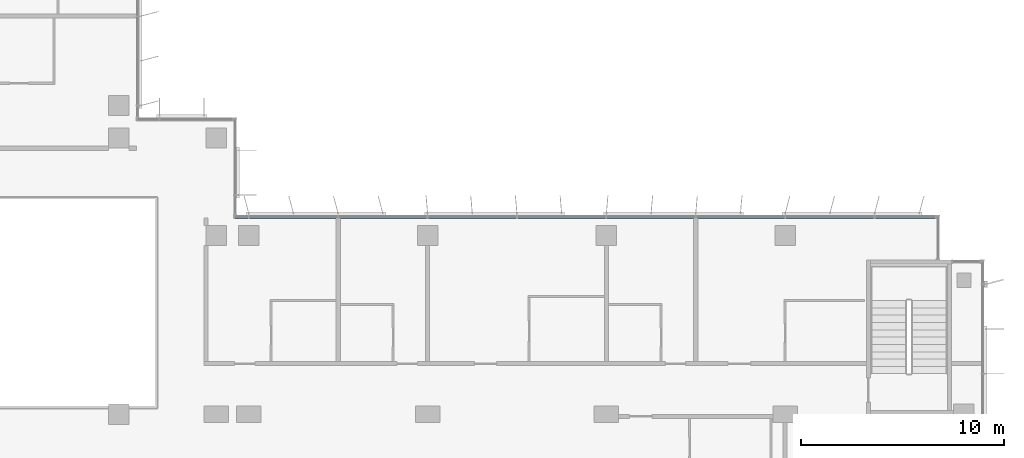
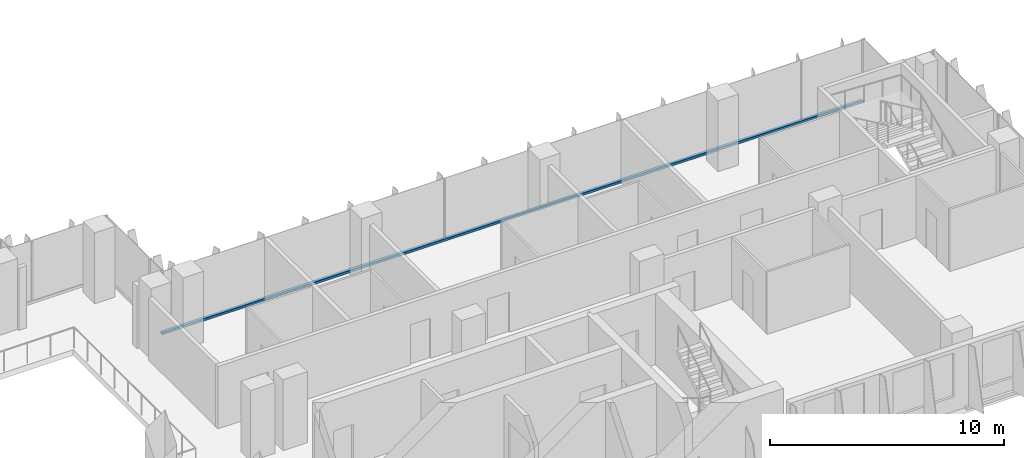
# One storey, part 3 of 20: 1 member, 1 element without a shape of its own.
"""IFC4 building model written with IfcOpenShell, lengths in metres."""

from ifc_helpers import new_model, si_unit, direction, frame, origin, origin_2d, place, context, subcontext, project, spatial, rectangle, extrude, material, material_profile, profile_set, type_object, element, aggregate, save


model = new_model("IFC4")

# Units and contexts
model_context = context("Model", 3, precision=1e-05, world=origin(), true_north=direction((0.0, 1.0)))
body_context = subcontext(model_context, "Body", "Model", "MODEL_VIEW")
ifc_project = project(units=[si_unit("LENGTHUNIT", "METRE"), si_unit("AREAUNIT", "SQUARE_METRE"), si_unit("VOLUMEUNIT", "CUBIC_METRE"), si_unit("PLANEANGLEUNIT", "RADIAN"), si_unit("MASSUNIT", "GRAM", prefix="KILO")], contexts=[model_context])

# Site, building, storey
site_placement = place(None, origin())
site = spatial("IfcSite", under=ifc_project, at=site_placement, CompositionType="ELEMENT")
building_placement = place(site_placement, origin())
building = spatial("IfcBuilding", under=site, at=building_placement, Name="Kemantara Hotel Tower", CompositionType="ELEMENT")
storey_placement = place(building_placement, frame((0.0, 0.0, 190.10009765625)))
storey = spatial("IfcBuildingStorey", under=building, at=storey_placement, Name="L47", CompositionType="ELEMENT", Elevation=190.10009765625)

# Curtain wall, member
ifc_material_1 = material(Name="Low-E tinted double insulated glass 36 mm", Category="glass")
curtain_wall_type = type_object("IfcCurtainWallType", Name="TOWER CURTAIN WALL, FRONT FACES", PredefinedType="USERDEFINED", material=ifc_material_1)
curtain_wall_placement = place(storey_placement, origin())
curtain_wall = element("IfcCurtainWall", 1, at=curtain_wall_placement, inside=storey, type_object=curtain_wall_type, Name="CW4 L47 T3-R14-1", ObjectType="TOWER CURTAIN WALL, FRONT FACES", PredefinedType="USERDEFINED")
ifc_material_2 = material(Name="Aluminium 6063-T6 bronze anodised", Category="aluminium")
ifc_material_profile = material_profile(ifc_material_2, rectangle(XDim=0.14990234375, YDim=0.1201171875, at=origin_2d()), Name="TOWER CURTAIN WALL, FRONT FACES TRANSOM")
ifc_profile_set = profile_set([ifc_material_profile], Name="Aluminium 6063-T6 bronze anodised")
member_type = type_object("IfcMemberType", Name="TOWER CURTAIN WALL, FRONT FACES TRANSOM", PredefinedType="USERDEFINED", material=ifc_profile_set)
member_placement = place(storey_placement, frame((61.25, 21.925048828125, 0.059814453125), z_axis=(-1.0, 0.0, 0.0), x_axis=(0.0, -1.0, 0.0)))
member = element("IfcMember", 2, at=member_placement, type_object=member_type, Name="CW4 sill transom T3-R14-1", ObjectType="TRANSOM", PredefinedType="USERDEFINED", context=body_context, shape_type="SweptSolid", body=[
    extrude(rectangle(XDim=0.14990234375, YDim=0.1201171875, at=origin_2d()), origin(), (0.0, 0.0, 1.0), 34.60009765625),
])
aggregate(curtain_wall, [member])

save(model, "model.ifc")
